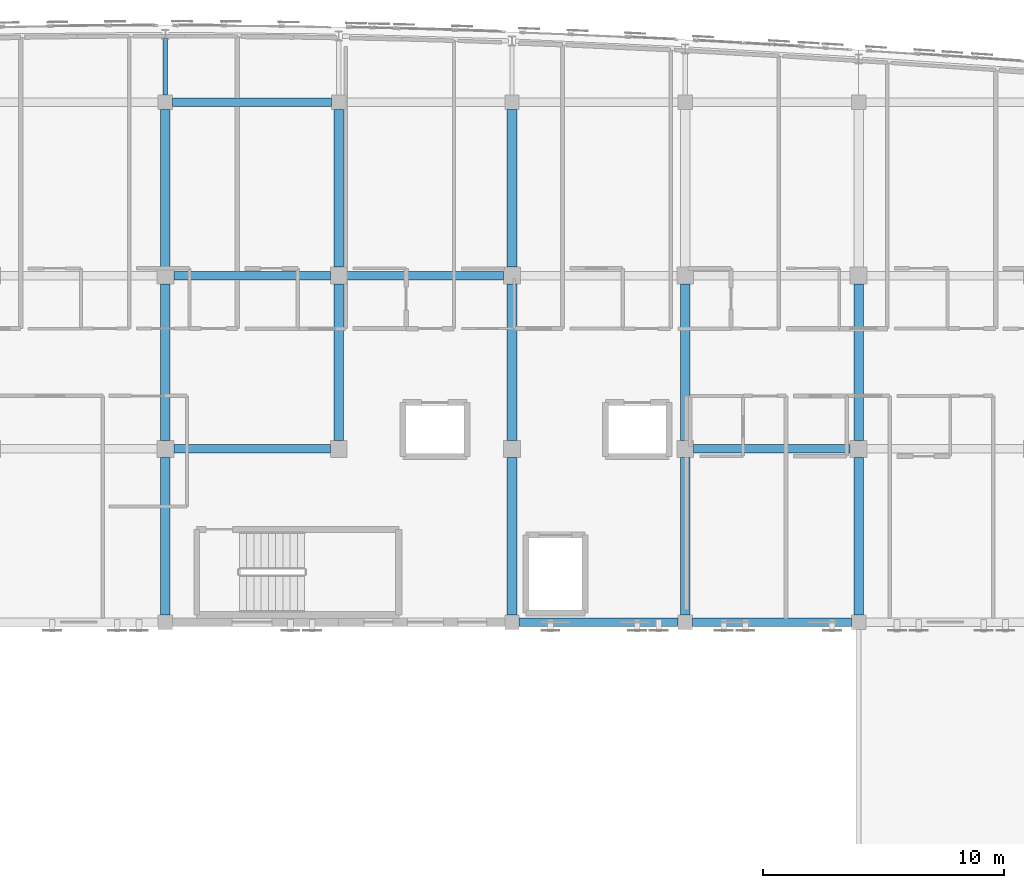
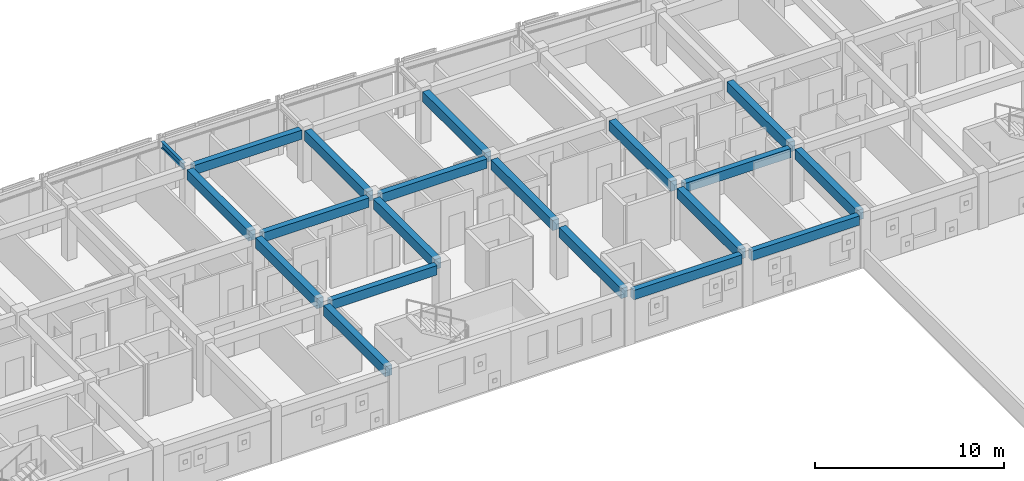
# One storey, part 18 of 50: 20 beams.
"""IFC4 building model written with IfcOpenShell, lengths in metres."""

import ifcopenshell
import ifcopenshell.guid

model = None  # the IFC model being written
_history = None  # IfcOwnerHistory: only IFC2X3 demands one
_inside = {}  # id of a spatial element -> (the spatial element, [elements in it])
_under = {}  # id of a project, library or spatial element -> (it, [spatial elements below it])
_declared = {}  # id of a project -> (the project, [libraries it declares])
_typed = {}  # id of a type object -> (the type object, [elements of that type])
_made_of = {}  # id of a material, layer set ... -> (it, [elements and type objects made of it])


def new_model(schema):
    """Start an empty IFC model of exactly this schema.

    Asked for "IFC4X3", IfcOpenShell would pick the latest addendum, in which some entities
    have other attributes; the version numbers below select the first issue.
    IFC2X3 requires an IfcOwnerHistory on every rooted entity: one is made here for all.
    """
    global model, _history
    if schema == "IFC4X3":
        model = ifcopenshell.file(schema_version=(4, 3, 0, 0))
    else:
        model = ifcopenshell.file(schema=schema)
    _inside.clear()
    _under.clear()
    _declared.clear()
    _typed.clear()
    _made_of.clear()
    _history = None
    if model.schema == "IFC2X3":
        org = make("IfcOrganization", Name="unknown")
        user = make(
            "IfcPersonAndOrganization",
            ThePerson=make("IfcPerson", FamilyName="unknown"),
            TheOrganization=org,
        )
        app = make(
            "IfcApplication",
            ApplicationDeveloper=org,
            Version="unknown",
            ApplicationFullName="unknown",
            ApplicationIdentifier="unknown",
        )
        _history = make(
            "IfcOwnerHistory",
            OwningUser=user,
            OwningApplication=app,
            ChangeAction="ADDED",
            CreationDate=0,
        )
    return model


def make(cls, **values):
    """One entity of the class cls with the attributes given. An attribute that is None is left unset."""
    return model.create_entity(
        cls, **{name: value for name, value in values.items() if value is not None}
    )


def rooted(cls, **values):
    """An entity with a GlobalId (a new one), such as an element, a storey or a relation."""
    return make(cls, GlobalId=ifcopenshell.guid.new(), OwnerHistory=_history, **values)


def si_unit(unit_type, name, prefix=None):
    """IfcSIUnit, for example si_unit("LENGTHUNIT", "METRE", prefix="MILLI")."""
    return make("IfcSIUnit", UnitType=unit_type, Prefix=prefix, Name=name)


def assignment(units):
    """IfcUnitAssignment: the units of a project."""
    return None if units is None else make("IfcUnitAssignment", Units=units)


def point(xyz):
    """IfcCartesianPoint."""
    return None if xyz is None else make("IfcCartesianPoint", Coordinates=xyz)


def direction(xyz):
    """IfcDirection."""
    return None if xyz is None else make("IfcDirection", DirectionRatios=xyz)


def frame(location, z_axis=None, x_axis=None):
    """IfcAxis2Placement3D, a coordinate frame: its origin and axes. An axis left out is left unset."""
    return make(
        "IfcAxis2Placement3D",
        Location=point(location),
        Axis=direction(z_axis),
        RefDirection=direction(x_axis),
    )


def frame_2d(location, x_axis=None):
    """IfcAxis2Placement2D, a coordinate frame in the plane: its origin and x axis."""
    return make(
        "IfcAxis2Placement2D", Location=point(location), RefDirection=direction(x_axis)
    )


def origin():
    """The frame at (0, 0, 0) with its axes left unset."""
    return frame((0.0, 0.0, 0.0))


def origin_2d():
    """The frame at (0, 0) in the plane with its x axis left unset."""
    return frame_2d((0.0, 0.0))


def place(relative_to, where):
    """IfcLocalPlacement: puts the frame where relative to a parent placement (None: the world)."""
    return make(
        "IfcLocalPlacement", PlacementRelTo=relative_to, RelativePlacement=where
    )


def context(
    kind, dimensions, precision=None, world=None, true_north=None, identifier=None
):
    """IfcGeometricRepresentationContext, for example the 3D "Model" context."""
    return make(
        "IfcGeometricRepresentationContext",
        ContextIdentifier=identifier,
        ContextType=kind,
        CoordinateSpaceDimension=dimensions,
        Precision=precision,
        WorldCoordinateSystem=world,
        TrueNorth=true_north,
    )


def subcontext(parent, identifier, kind, view, scale=None):
    """IfcGeometricRepresentationSubContext, for example "Body" below "Model"."""
    return make(
        "IfcGeometricRepresentationSubContext",
        ContextIdentifier=identifier,
        ContextType=kind,
        ParentContext=parent,
        TargetScale=scale,
        TargetView=view,
    )


def project(units=None, contexts=None):
    """IfcProject with its units and contexts."""
    return rooted(
        "IfcProject",
        Name="project",
        RepresentationContexts=contexts,
        UnitsInContext=assignment(units),
    )


def spatial(cls, under=None, at=None, **own):
    """A site, building, storey or space (cls), placed at a placement, below another one or the project."""
    s = rooted(cls, ObjectPlacement=at, **own)
    if under is not None:
        _under.setdefault(under.id(), (under, []))[1].append(s)
    return s


def profile(cls, at=None, kind="AREA", **sizes):
    """A parametric profile (cls). Its sizes go by their IFC names, for example OverallWidth=200.0."""
    return make(cls, ProfileType=kind, Position=at, **sizes)


def rectangle(**sizes):
    """IfcRectangleProfileDef."""
    return profile("IfcRectangleProfileDef", **sizes)


def i_section(**sizes):
    """IfcIShapeProfileDef."""
    return profile("IfcIShapeProfileDef", **sizes)


def extrude(swept, where, along, depth):
    """IfcExtrudedAreaSolid: the profile swept, set in the frame where, extruded along a direction by depth."""
    return make(
        "IfcExtrudedAreaSolid",
        SweptArea=swept,
        Position=where,
        ExtrudedDirection=direction(along),
        Depth=depth,
    )


def shape(context_of_items, identifier, shape_type, items):
    """IfcShapeRepresentation: the items that make up one representation, for example the "Body"."""
    return make(
        "IfcShapeRepresentation",
        ContextOfItems=context_of_items,
        RepresentationIdentifier=identifier,
        RepresentationType=shape_type,
        Items=items,
    )


def material(Name=None, Category=None):
    """IfcMaterial."""
    return make("IfcMaterial", Name=Name, Category=Category)


def material_profile(
    of_material, cross_section, Name=None, Category=None, Priority=None
):
    """IfcMaterialProfile: a cross section and its material."""
    return make(
        "IfcMaterialProfile",
        Name=Name,
        Material=of_material,
        Profile=cross_section,
        Priority=Priority,
        Category=Category,
    )


def profile_set(profiles, Name=None, composite=None):
    """IfcMaterialProfileSet."""
    return make(
        "IfcMaterialProfileSet",
        Name=Name,
        MaterialProfiles=profiles,
        CompositeProfile=composite,
    )


def made_of(thing, what):
    """Note that an element or type object is made of a material, layer set ...; save() writes the relation."""
    if what is not None:
        _made_of.setdefault(what.id(), (what, []))[1].append(thing)
    return thing


def type_object(cls, material=None, **own):
    """A type object (cls), such as IfcWallType, which elements share."""
    return made_of(rooted(cls, **own), material)


def element(
    cls,
    number,
    at=None,
    inside=None,
    cuts=None,
    type_object=None,
    material=None,
    context=None,
    identifier="Body",
    shape_type=None,
    held_by="IfcProductDefinitionShape",
    body=None,
    shapes=None,
    **own,
):
    """One element of the class cls, such as IfcWall. Its Tag is "e" and its number.

    at: its placement. inside: the storey or other place that contains it. cuts: it is an
    opening in that element (IfcRelVoidsElement). A single representation is given by context,
    identifier, shape_type and body (its items); several are given by shapes. held_by: the class
    of the entity that holds the representations. save() writes the other relations.
    """
    e = rooted(cls, Tag="e%d" % number, ObjectPlacement=at, **own)
    if body is not None:
        shapes = [shape(context, identifier, shape_type, body)]
    if shapes is not None:
        e.Representation = make(held_by, Representations=shapes)
    if inside is not None:
        _inside.setdefault(inside.id(), (inside, []))[1].append(e)
    if cuts is not None:
        rooted(
            "IfcRelVoidsElement", RelatingBuildingElement=cuts, RelatedOpeningElement=e
        )
    if type_object is not None:
        _typed.setdefault(type_object.id(), (type_object, []))[1].append(e)
    return made_of(e, material)


def aggregate(whole, parts):
    """IfcRelAggregates: a whole, such as a stair, and the parts it consists of."""
    return rooted("IfcRelAggregates", RelatingObject=whole, RelatedObjects=parts)


def save(model, path):
    """Write the relations noted so far, then the file.

    IfcRelAggregates (storeys below a building ...), IfcRelContainedInSpatialStructure (elements
    in a storey), IfcRelDefinesByType, IfcRelAssociatesMaterial and IfcRelDeclares: one each for
    every whole, place, type object, material and project.
    """
    for whole, parts in _under.values():
        aggregate(whole, parts)
    for where, things in _inside.values():
        rooted(
            "IfcRelContainedInSpatialStructure",
            RelatedElements=things,
            RelatingStructure=where,
        )
    for kind, things in _typed.values():
        rooted("IfcRelDefinesByType", RelatedObjects=things, RelatingType=kind)
    for what, things in _made_of.values():
        rooted("IfcRelAssociatesMaterial", RelatedObjects=things, RelatingMaterial=what)
    for by, libraries in _declared.values():
        rooted("IfcRelDeclares", RelatingContext=by, RelatedDefinitions=libraries)
    model.write(path)


model = new_model("IFC4")

# Units and contexts
model_context = context("Model", 3, precision=1e-05, world=origin(), true_north=direction((0.0, 1.0)))
body_context = subcontext(model_context, "Body", "Model", "MODEL_VIEW")
ifc_project = project(units=[si_unit("LENGTHUNIT", "METRE"), si_unit("AREAUNIT", "SQUARE_METRE"), si_unit("VOLUMEUNIT", "CUBIC_METRE"), si_unit("PLANEANGLEUNIT", "RADIAN"), si_unit("MASSUNIT", "GRAM", prefix="KILO")], contexts=[model_context])

# Site, building, storey
site_placement = place(None, origin())
site = spatial("IfcSite", under=ifc_project, at=site_placement, CompositionType="ELEMENT")
building_placement = place(site_placement, origin())
building = spatial("IfcBuilding", under=site, at=building_placement, Name="Carrowvane Square Congress Hotel", CompositionType="ELEMENT")
storey_placement = place(building_placement, frame((0.0, 0.0, 22.800048828125)))
storey = spatial("IfcBuildingStorey", under=building, at=storey_placement, Name="L05", CompositionType="ELEMENT", Elevation=22.800048828125)

# Beams
ifc_material_1 = material(Name="Concrete C35/45", Category="concrete")
ifc_material_profile_1 = material_profile(ifc_material_1, rectangle(XDim=0.35009765625, YDim=0.60009765625, at=origin_2d()), Name="RC 350x600")
ifc_profile_set_1 = profile_set([ifc_material_profile_1], Name="Concrete C35/45")
beam_type_1 = type_object("IfcBeamType", Name="BM-RC-350x600", PredefinedType="BEAM", material=ifc_profile_set_1)
for number, where, z_axis, x_axis, name in (
    (1, (112.699951171875, 91.800048828125, 3.050048828125), (1.0, 0.0, 0.0), (0.0, 1.0, 0.0), "L06 girder N/15-16"),
    (2, (119.89990234375, 91.800048828125, 3.050048828125), (1.0, 0.0, 0.0), (0.0, 1.0, 0.0), "L06 girder N/16-17"),
):
    element("IfcBeam", number, at=place(storey_placement, frame(where, z_axis=z_axis, x_axis=x_axis)), inside=storey, type_object=beam_type_1, Name=name, PredefinedType="BEAM", context=body_context, shape_type="SweptSolid", body=[
        extrude(rectangle(XDim=0.35009765625, YDim=0.60009765625, at=origin_2d()), origin(), (0.0, 0.0, 1.0), 6.60009765625),
    ])
for number, where, z_axis, x_axis, name in (
    (3, (98.35009765625, 99.0, 3.050048828125), (1.0, 0.0, 0.0), (0.0, 1.0, 0.0), "L06 girder P/13-14"),
    (4, (119.949951171875, 99.0, 3.050048828125), (1.0, 0.0, 0.0), (0.0, 1.0, 0.0), "L06 girder P/16-17"),
    (5, (98.35009765625, 106.199951171875, 3.050048828125), (1.0, 0.0, 0.0), (0.0, 1.0, 0.0), "L06 girder Q/13-14"),
    (6, (105.550048828125, 106.199951171875, 3.050048828125), (1.0, 0.0, 0.0), (0.0, 1.0, 0.0), "L06 girder Q/14-15"),
):
    element("IfcBeam", number, at=place(storey_placement, frame(where, z_axis=z_axis, x_axis=x_axis)), inside=storey, type_object=beam_type_1, Name=name, PredefinedType="BEAM", context=body_context, shape_type="SweptSolid", body=[
        extrude(rectangle(XDim=0.35009765625, YDim=0.60009765625, at=origin_2d()), origin(), (0.0, 0.0, 1.0), 6.5),
    ])
beam_1_placement = place(storey_placement, frame((98.300048828125, 113.39990234375, 3.050048828125), z_axis=(1.0, 0.0, 0.0), x_axis=(0.0, 1.0, 0.0)))
element("IfcBeam", 7, at=beam_1_placement, inside=storey, type_object=beam_type_1, Name="L06 girder R/13-14", PredefinedType="BEAM", context=body_context, shape_type="SweptSolid", body=[
    extrude(rectangle(XDim=0.35009765625, YDim=0.60009765625, at=origin_2d()), origin(), (0.0, 0.0, 1.0), 6.599853515625),
])
ifc_material_2 = material(Name="Concrete C35/45", Category="concrete")
ifc_material_profile_2 = material_profile(ifc_material_2, rectangle(XDim=0.39990234375, YDim=0.64990234375, at=origin_2d()), Name="RC 400x650")
ifc_profile_set_2 = profile_set([ifc_material_profile_2], Name="Concrete C35/45")
beam_type_2 = type_object("IfcBeamType", Name="BM-RC-400x650", PredefinedType="BEAM", material=ifc_profile_set_2)
beam_2_placement = place(storey_placement, frame((98.0, 92.10009765625, 3.02490234375), z_axis=(0.0, 1.0, 0.0), x_axis=(-1.0, 0.0, 0.0)))
element("IfcBeam", 8, at=beam_2_placement, inside=storey, type_object=beam_type_2, Name="L06 girder 13/N-P", PredefinedType="BEAM", context=body_context, shape_type="SweptSolid", body=[
    extrude(rectangle(XDim=0.39990234375, YDim=0.64990234375, at=origin_2d()), origin(), (0.0, 0.0, 1.0), 6.5498046875),
])
beam_3_placement = place(storey_placement, frame((98.0, 99.35009765625, 3.02490234375), z_axis=(0.0, 1.0, 0.0), x_axis=(-1.0, 0.0, 0.0)))
element("IfcBeam", 9, at=beam_3_placement, inside=storey, type_object=beam_type_2, Name="L06 girder 13/P-Q", PredefinedType="BEAM", context=body_context, shape_type="SweptSolid", body=[
    extrude(rectangle(XDim=0.39990234375, YDim=0.64990234375, at=origin_2d()), origin(), (0.0, 0.0, 1.0), 6.5),
])
beam_4_placement = place(storey_placement, frame((98.0, 106.550048828125, 3.02490234375), z_axis=(0.0, 1.0, 0.0), x_axis=(-1.0, 0.0, 0.0)))
element("IfcBeam", 10, at=beam_4_placement, inside=storey, type_object=beam_type_2, Name="L06 girder 13/Q-R", PredefinedType="BEAM", context=body_context, shape_type="SweptSolid", body=[
    extrude(rectangle(XDim=0.39990234375, YDim=0.64990234375, at=origin_2d()), origin(), (0.0, 0.0, 1.0), 6.550048828125),
])
beam_5_placement = place(storey_placement, frame((105.199951171875, 99.35009765625, 3.02490234375), z_axis=(0.0, 1.0, 0.0), x_axis=(-1.0, 0.0, 0.0)))
element("IfcBeam", 11, at=beam_5_placement, inside=storey, type_object=beam_type_2, Name="L06 girder 14/P-Q", PredefinedType="BEAM", context=body_context, shape_type="SweptSolid", body=[
    extrude(rectangle(XDim=0.39990234375, YDim=0.64990234375, at=origin_2d()), origin(), (0.0, 0.0, 1.0), 6.5),
])
beam_6_placement = place(storey_placement, frame((105.199951171875, 106.550048828125, 3.02490234375), z_axis=(0.0, 1.0, 0.0), x_axis=(-1.0, 0.0, 0.0)))
element("IfcBeam", 12, at=beam_6_placement, inside=storey, type_object=beam_type_2, Name="L06 girder 14/Q-R", PredefinedType="BEAM", context=body_context, shape_type="SweptSolid", body=[
    extrude(rectangle(XDim=0.39990234375, YDim=0.64990234375, at=origin_2d()), origin(), (0.0, 0.0, 1.0), 6.550048828125),
])
beam_7_placement = place(storey_placement, frame((112.39990234375, 92.10009765625, 3.02490234375), z_axis=(0.0, 1.0, 0.0), x_axis=(-1.0, 0.0, 0.0)))
element("IfcBeam", 13, at=beam_7_placement, inside=storey, type_object=beam_type_2, Name="L06 girder 15/N-P", PredefinedType="BEAM", context=body_context, shape_type="SweptSolid", body=[
    extrude(rectangle(XDim=0.39990234375, YDim=0.64990234375, at=origin_2d()), origin(), (0.0, 0.0, 1.0), 6.5498046875),
])
beam_8_placement = place(storey_placement, frame((112.39990234375, 99.35009765625, 3.02490234375), z_axis=(0.0, 1.0, 0.0), x_axis=(-1.0, 0.0, 0.0)))
element("IfcBeam", 14, at=beam_8_placement, inside=storey, type_object=beam_type_2, Name="L06 girder 15/P-Q", PredefinedType="BEAM", context=body_context, shape_type="SweptSolid", body=[
    extrude(rectangle(XDim=0.39990234375, YDim=0.64990234375, at=origin_2d()), origin(), (0.0, 0.0, 1.0), 6.5),
])
beam_9_placement = place(storey_placement, frame((112.39990234375, 106.550048828125, 3.02490234375), z_axis=(0.0, 1.0, 0.0), x_axis=(-1.0, 0.0, 0.0)))
element("IfcBeam", 15, at=beam_9_placement, inside=storey, type_object=beam_type_2, Name="L06 girder 15/Q-R", PredefinedType="BEAM", context=body_context, shape_type="SweptSolid", body=[
    extrude(rectangle(XDim=0.39990234375, YDim=0.64990234375, at=origin_2d()), origin(), (0.0, 0.0, 1.0), 6.550048828125),
])
beam_10_placement = place(storey_placement, frame((119.60009765625, 92.10009765625, 3.02490234375), z_axis=(0.0, 1.0, 0.0), x_axis=(-1.0, 0.0, 0.0)))
element("IfcBeam", 16, at=beam_10_placement, inside=storey, type_object=beam_type_2, Name="L06 girder 16/N-P", PredefinedType="BEAM", context=body_context, shape_type="SweptSolid", body=[
    extrude(rectangle(XDim=0.39990234375, YDim=0.64990234375, at=origin_2d()), origin(), (0.0, 0.0, 1.0), 6.5498046875),
])
beam_11_placement = place(storey_placement, frame((119.60009765625, 99.35009765625, 3.02490234375), z_axis=(0.0, 1.0, 0.0), x_axis=(-1.0, 0.0, 0.0)))
element("IfcBeam", 17, at=beam_11_placement, inside=storey, type_object=beam_type_2, Name="L06 girder 16/P-Q", PredefinedType="BEAM", context=body_context, shape_type="SweptSolid", body=[
    extrude(rectangle(XDim=0.39990234375, YDim=0.64990234375, at=origin_2d()), origin(), (0.0, 0.0, 1.0), 6.5),
])
beam_12_placement = place(storey_placement, frame((126.800048828125, 92.10009765625, 3.02490234375), z_axis=(0.0, 1.0, 0.0), x_axis=(-1.0, 0.0, 0.0)))
element("IfcBeam", 18, at=beam_12_placement, inside=storey, type_object=beam_type_2, Name="L06 girder 17/N-P", PredefinedType="BEAM", context=body_context, shape_type="SweptSolid", body=[
    extrude(rectangle(XDim=0.39990234375, YDim=0.64990234375, at=origin_2d()), origin(), (0.0, 0.0, 1.0), 6.5498046875),
])
beam_13_placement = place(storey_placement, frame((126.800048828125, 99.35009765625, 3.02490234375), z_axis=(0.0, 1.0, 0.0), x_axis=(-1.0, 0.0, 0.0)))
element("IfcBeam", 19, at=beam_13_placement, inside=storey, type_object=beam_type_2, Name="L06 girder 17/P-Q", PredefinedType="BEAM", context=body_context, shape_type="SweptSolid", body=[
    extrude(rectangle(XDim=0.39990234375, YDim=0.64990234375, at=origin_2d()), origin(), (0.0, 0.0, 1.0), 6.5),
])
ifc_material_3 = material(Name="Steel S355", Category="steel")
ifc_material_profile_3 = material_profile(ifc_material_3, i_section(OverallWidth=0.1787109375, OverallDepth=0.409423828125, WebThickness=0.0087890625, FlangeThickness=0.014404296875, FilletRadius=0.01025390625, at=origin_2d()), Name="UKB 406x178x67")
ifc_profile_set_3 = profile_set([ifc_material_profile_3], Name="Steel S355")
beam_type_3 = type_object("IfcBeamType", Name="BM-ST-UKB406", PredefinedType="BEAM", material=ifc_profile_set_3)
beam_14_placement = place(storey_placement, frame((98.0, 113.699951171875, 3.145263671875), z_axis=(0.0, 1.0, 0.0), x_axis=(-1.0, 0.0, 0.0)))
element("IfcBeam", 20, at=beam_14_placement, inside=storey, type_object=beam_type_3, Name="L06 radial north beam 13", PredefinedType="BEAM", context=body_context, shape_type="SweptSolid", body=[
    extrude(i_section(OverallWidth=0.1787109375, OverallDepth=0.409423828125, WebThickness=0.0087890625, FlangeThickness=0.014404296875, FilletRadius=0.01025390625, at=origin_2d()), origin(), (0.0, 0.0, 1.0), 2.3701171875),
])

save(model, "model.ifc")
